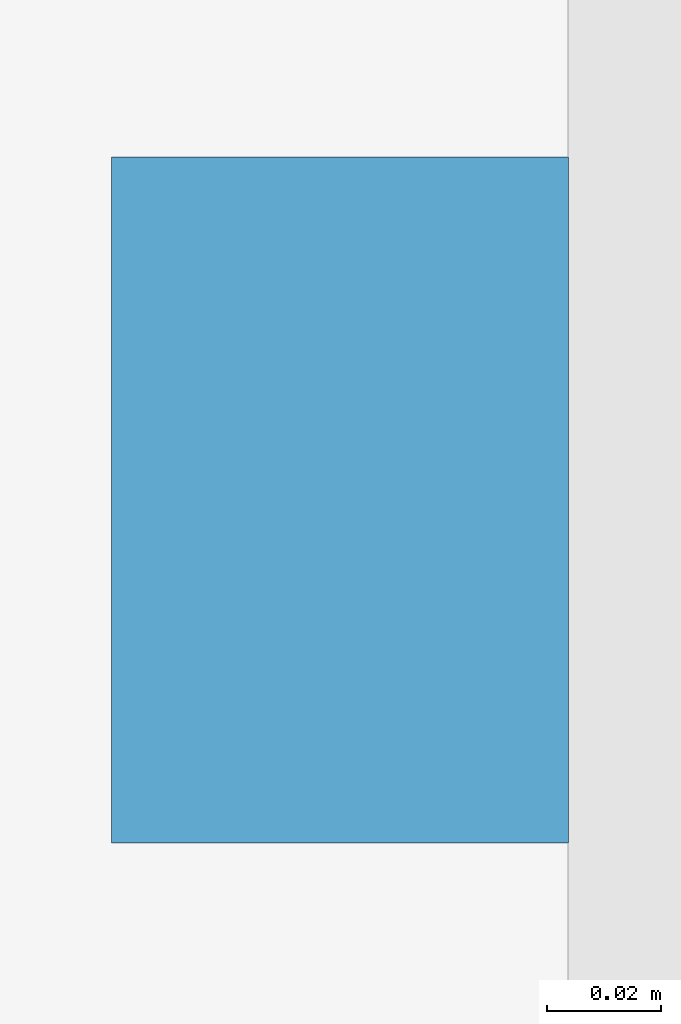
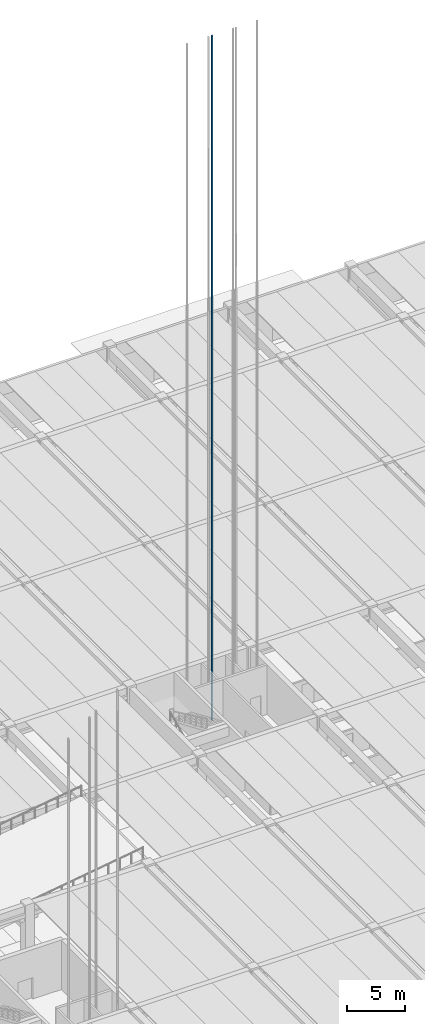
# One storey, part 46 of 59: 1 discrete accessory.
"""IFC4 building model written with IfcOpenShell, lengths in metres."""

from ifc_helpers import new_model, si_unit, direction, frame, origin, origin_2d, place, context, subcontext, project, spatial, rectangle, extrude, material, type_object, element, save


model = new_model("IFC4")

# Units and contexts
model_context = context("Model", 3, precision=1e-05, world=origin(), true_north=direction((0.0, 1.0)))
body_context = subcontext(model_context, "Body", "Model", "MODEL_VIEW")
ifc_project = project(units=[si_unit("LENGTHUNIT", "METRE"), si_unit("AREAUNIT", "SQUARE_METRE"), si_unit("VOLUMEUNIT", "CUBIC_METRE"), si_unit("PLANEANGLEUNIT", "RADIAN"), si_unit("MASSUNIT", "GRAM", prefix="KILO")], contexts=[model_context])

# Site, building, storey
site_placement = place(None, origin())
site = spatial("IfcSite", under=ifc_project, at=site_placement, CompositionType="ELEMENT")
building_placement = place(site_placement, origin())
building = spatial("IfcBuilding", under=site, at=building_placement, Name="Girod Span Mobility Hub", CompositionType="ELEMENT")
storey_placement = place(building_placement, origin())
storey = spatial("IfcBuildingStorey", under=building, at=storey_placement, Name="L00", CompositionType="ELEMENT", Elevation=0.0)

# Discrete accessory
ifc_material = material(Name="Steel A992 Grade 50", Category="steel")
discrete_accessory_type = type_object("IfcDiscreteAccessoryType", Name="ACC-LFT-RAIL", PredefinedType="USERDEFINED", material=ifc_material)
discrete_accessory_placement = place(storey_placement, frame((115.219970703125, 67.300048828125, 0.0), z_axis=(0.0, 0.0, 1.0), x_axis=(1.0, 0.0, 0.0)))
element("IfcDiscreteAccessory", 1, at=discrete_accessory_placement, inside=storey, type_object=discrete_accessory_type, Name="Hoistway Guide Rail LP-3-W", ObjectType="GUIDE RAIL", PredefinedType="USERDEFINED", context=body_context, shape_type="SweptSolid", body=[
    extrude(rectangle(XDim=0.080078125, YDim=0.1201171875, at=origin_2d()), origin(), (0.0, 0.0, 1.0), 71.949951171875),
])

save(model, "model.ifc")
